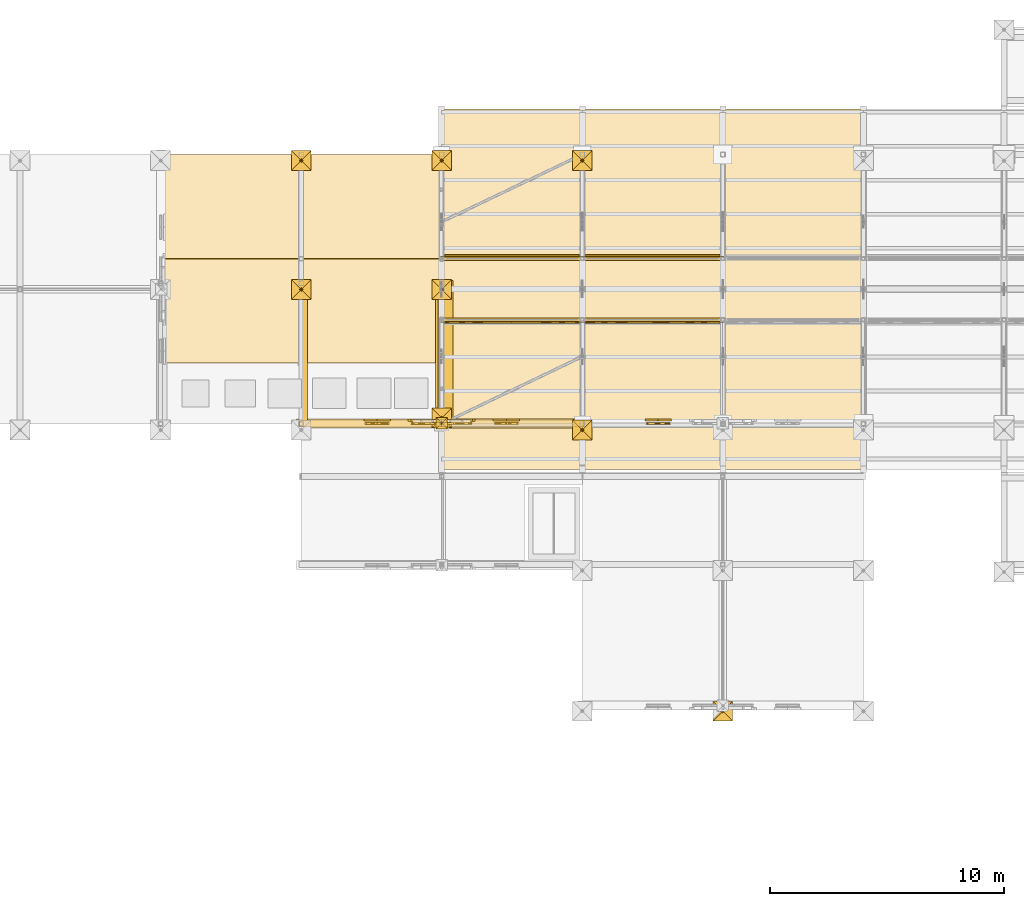
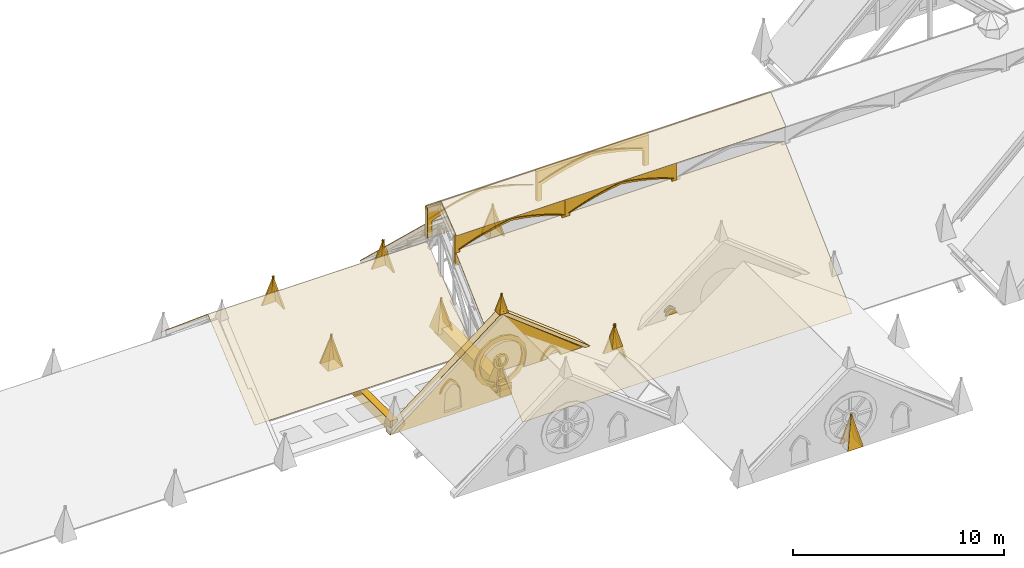
# One storey, part 27 of 33: 63 coverings.
"""IFC4 building model written with IfcOpenShell, lengths in metres."""

from ifc_helpers import new_model, si_unit, direction, frame, origin, origin_2d, place, context, subcontext, project, spatial, polyline, rectangle, outline, extrude, material, type_object, element, save


model = new_model("IFC4")

# Units and contexts
model_context = context("Model", 3, precision=1e-05, world=origin(), true_north=direction((0.0, 1.0)))
body_context = subcontext(model_context, "Body", "Model", "MODEL_VIEW")
ifc_project = project(units=[si_unit("LENGTHUNIT", "METRE"), si_unit("AREAUNIT", "SQUARE_METRE"), si_unit("VOLUMEUNIT", "CUBIC_METRE"), si_unit("PLANEANGLEUNIT", "RADIAN"), si_unit("MASSUNIT", "GRAM", prefix="KILO")], contexts=[model_context])

# Site, building, storey
site_placement = place(None, origin())
site = spatial("IfcSite", under=ifc_project, at=site_placement, CompositionType="ELEMENT")
building_placement = place(site_placement, origin())
building = spatial("IfcBuilding", under=site, at=building_placement, Name="Cumevento Cable Car Station", CompositionType="ELEMENT")
storey_placement = place(building_placement, frame((0.0, 0.0, 22.5)))
storey = spatial("IfcBuildingStorey", under=building, at=storey_placement, Name="RF", CompositionType="ELEMENT", Elevation=22.5)

# Coverings
ifc_material_1 = material(Name="Standing-Seam Zinc-Titanium Roof Sheet", Category="steel")
covering_type_1 = type_object("IfcCoveringType", Name="Standing-Seam Zinc Roofing CV-RF01", PredefinedType="ROOFING", material=ifc_material_1)
for number, where, z_axis, x_axis, name in (
    (1, (64.0, 43.050048828125, -0.391845703125), (0.0, -0.688352287595, 0.72537654233), (1.0, 0.0, 0.0), "Standing-Seam Zinc Roof Covering #1"),
    (2, (64.0, 52.050048828125, 5.681396484375), (0.0, 0.688352287595, 0.72537654233), (1.0, 0.0, 0.0), "Standing-Seam Zinc Roof Covering #2"),
):
    element("IfcCovering", number, at=place(storey_placement, frame(where, z_axis=z_axis, x_axis=x_axis)), inside=storey, type_object=covering_type_1, Name=name, PredefinedType="ROOFING", context=body_context, shape_type="SweptSolid", body=[
        extrude(outline(polyline([(0.0, 0.0), (18.0, 0.0), (18.0, 8.822869186243585), (0.0, 8.822869186243585), (0.0, 0.0)])), origin(), (0.0, 0.0, -1.0), 0.02587890625),
    ])
for number, where, z_axis, x_axis, name in (
    (3, (64.0, 49.300048828125, 6.577880859375), (0.0, -0.614798151706, 0.788684495004), (1.0, 0.0, 0.0), "Standing-Seam Zinc Roof Covering #3"),
    (4, (64.0, 50.7548828125, 7.704345703125), (0.0, 0.614798151706, 0.788684495004), (1.0, 0.0, 0.0), "Standing-Seam Zinc Roof Covering #4"),
):
    element("IfcCovering", number, at=place(storey_placement, frame(where, z_axis=z_axis, x_axis=x_axis)), inside=storey, type_object=covering_type_1, Name=name, PredefinedType="ROOFING", context=body_context, shape_type="SweptSolid", body=[
        extrude(outline(polyline([(0.0, 0.0), (18.0, 0.0), (18.0, 1.8322515131584596), (0.0, 1.8322515131584596), (0.0, 0.0)])), origin(), (0.0, 0.0, -1.0), 0.02587890625),
    ])
covering_1_placement = place(storey_placement, frame((52.0, 47.60009765625, 0.872314453125), z_axis=(0.0, -0.642806298208, 0.766028761199), x_axis=(1.0, 0.0, 0.0)))
element("IfcCovering", 5, at=covering_1_placement, inside=storey, type_object=covering_type_1, Name="Standing-Seam Zinc Roof Covering #41", PredefinedType="ROOFING", context=body_context, shape_type="SweptSolid", body=[
    extrude(outline(polyline([(0.0, 0.0), (12.0, 0.0), (12.0, 5.789357629581302), (0.0, 5.789357629581302), (0.0, 0.0)])), origin(), (0.0, 0.0, -1.0), 0.02587890625),
])
covering_2_placement = place(storey_placement, frame((52.0, 52.06494140625, 4.59375), z_axis=(0.0, 0.642785533502, 0.766046185239), x_axis=(1.0, 0.0, 0.0)))
element("IfcCovering", 6, at=covering_2_placement, inside=storey, type_object=covering_type_1, Name="Standing-Seam Zinc Roof Covering #42", PredefinedType="ROOFING", context=body_context, shape_type="SweptSolid", body=[
    extrude(outline(polyline([(0.0, 0.0), (12.0, 0.0), (12.0, 5.7895446504488195), (0.0, 5.7895446504488195), (0.0, 0.0)])), origin(), (0.0, 0.0, -1.0), 0.02587890625),
])
ifc_material_2 = material(Name="Gnaisse Facoidal Stone Ashlar 85 MPa", Category="masonry")
covering_type_2 = type_object("IfcCoveringType", Name="Gnaisse Ashlar Cladding CV-CL01", PredefinedType="CLADDING", material=ifc_material_2)
for number, where, z_axis, x_axis, name in (
    (7, (57.580078125, 51.159912109375, 0.3701171875), (0.0, 0.973845107191, 0.227212911607), (1.0, 0.0, 0.0), "Gothic Buttress Pinnacle Spire Facet 1 bt:58.0:51.0"),
    (8, (58.419921875, 51.159912109375, 0.3701171875), (0.973845107191, 0.0, 0.227212911607), (0.0, -1.0, 0.0), "Gothic Buttress Pinnacle Spire Facet 2 bt:58.0:51.0"),
    (9, (58.419921875, 50.320068359375, 0.3701171875), (0.0, -0.973845107191, 0.227212911607), (-1.0, 0.0, 0.0), "Gothic Buttress Pinnacle Spire Facet 3 bt:58.0:51.0"),
    (10, (57.580078125, 50.320068359375, 0.3701171875), (-0.973845107191, 0.0, 0.227212911607), (0.0, 1.0, 0.0), "Gothic Buttress Pinnacle Spire Facet 4 bt:58.0:51.0"),
    (11, (57.580078125, 56.659912109375, 0.3701171875), (0.0, 0.973845107191, 0.227212911607), (1.0, 0.0, 0.0), "Gothic Buttress Pinnacle Spire Facet 1 bt:58.0:56.5"),
    (12, (58.419921875, 56.659912109375, 0.3701171875), (0.973845107191, 0.0, 0.227212911607), (0.0, -1.0, 0.0), "Gothic Buttress Pinnacle Spire Facet 2 bt:58.0:56.5"),
    (13, (58.419921875, 55.820068359375, 0.3701171875), (0.0, -0.973845107191, 0.227212911607), (-1.0, 0.0, 0.0), "Gothic Buttress Pinnacle Spire Facet 3 bt:58.0:56.5"),
    (14, (57.580078125, 55.820068359375, 0.3701171875), (-0.973845107191, 0.0, 0.227212911607), (0.0, 1.0, 0.0), "Gothic Buttress Pinnacle Spire Facet 4 bt:58.0:56.5"),
    (15, (64.419921875, 44.840087890625, 0.3701171875), (0.0, -0.973845107191, 0.227212911607), (-1.0, 0.0, 0.0), "Gothic Buttress Pinnacle Spire Facet 1 bt:64.0:45.0"),
    (16, (63.580078125, 44.840087890625, 0.3701171875), (-0.973845107191, 0.0, 0.227212911607), (0.0, 1.0, 0.0), "Gothic Buttress Pinnacle Spire Facet 2 bt:64.0:45.0"),
    (17, (63.580078125, 45.679931640625, 0.3701171875), (0.0, 0.973845107191, 0.227212911607), (1.0, 0.0, 0.0), "Gothic Buttress Pinnacle Spire Facet 3 bt:64.0:45.0"),
    (18, (64.419921875, 45.679931640625, 0.3701171875), (0.973845107191, 0.0, 0.227212911607), (0.0, -1.0, 0.0), "Gothic Buttress Pinnacle Spire Facet 4 bt:64.0:45.0"),
    (19, (63.580078125, 51.159912109375, 0.3701171875), (0.0, 0.973845107191, 0.227212911607), (1.0, 0.0, 0.0), "Gothic Buttress Pinnacle Spire Facet 1 bt:64.0:51.0"),
    (20, (64.419921875, 51.159912109375, 0.3701171875), (0.973845107191, 0.0, 0.227212911607), (0.0, -1.0, 0.0), "Gothic Buttress Pinnacle Spire Facet 2 bt:64.0:51.0"),
    (21, (64.419921875, 50.320068359375, 0.3701171875), (0.0, -0.973845107191, 0.227212911607), (-1.0, 0.0, 0.0), "Gothic Buttress Pinnacle Spire Facet 3 bt:64.0:51.0"),
    (22, (63.580078125, 50.320068359375, 0.3701171875), (-0.973845107191, 0.0, 0.227212911607), (0.0, 1.0, 0.0), "Gothic Buttress Pinnacle Spire Facet 4 bt:64.0:51.0"),
    (23, (63.580078125, 56.659912109375, 0.3701171875), (0.0, 0.973845107191, 0.227212911607), (1.0, 0.0, 0.0), "Gothic Buttress Pinnacle Spire Facet 1 bt:64.0:56.5"),
    (24, (64.419921875, 56.659912109375, 0.3701171875), (0.973845107191, 0.0, 0.227212911607), (0.0, -1.0, 0.0), "Gothic Buttress Pinnacle Spire Facet 2 bt:64.0:56.5"),
    (25, (64.419921875, 55.820068359375, 0.3701171875), (0.0, -0.973845107191, 0.227212911607), (-1.0, 0.0, 0.0), "Gothic Buttress Pinnacle Spire Facet 3 bt:64.0:56.5"),
    (26, (63.580078125, 55.820068359375, 0.3701171875), (-0.973845107191, 0.0, 0.227212911607), (0.0, 1.0, 0.0), "Gothic Buttress Pinnacle Spire Facet 4 bt:64.0:56.5"),
    (27, (69.580078125, 45.159912109375, 0.3701171875), (0.0, 0.973845107191, 0.227212911607), (1.0, 0.0, 0.0), "Gothic Buttress Pinnacle Spire Facet 1 bt:70.0:45.0"),
    (28, (70.419921875, 45.159912109375, 0.3701171875), (0.973845107191, 0.0, 0.227212911607), (0.0, -1.0, 0.0), "Gothic Buttress Pinnacle Spire Facet 2 bt:70.0:45.0"),
    (29, (70.419921875, 44.320068359375, 0.3701171875), (0.0, -0.973845107191, 0.227212911607), (-1.0, 0.0, 0.0), "Gothic Buttress Pinnacle Spire Facet 3 bt:70.0:45.0"),
    (30, (69.580078125, 44.320068359375, 0.3701171875), (-0.973845107191, 0.0, 0.227212911607), (0.0, 1.0, 0.0), "Gothic Buttress Pinnacle Spire Facet 4 bt:70.0:45.0"),
    (31, (69.580078125, 56.659912109375, 0.3701171875), (0.0, 0.973845107191, 0.227212911607), (1.0, 0.0, 0.0), "Gothic Buttress Pinnacle Spire Facet 1 bt:70.0:56.5"),
    (32, (70.419921875, 56.659912109375, 0.3701171875), (0.973845107191, 0.0, 0.227212911607), (0.0, -1.0, 0.0), "Gothic Buttress Pinnacle Spire Facet 2 bt:70.0:56.5"),
    (33, (70.419921875, 55.820068359375, 0.3701171875), (0.0, -0.973845107191, 0.227212911607), (-1.0, 0.0, 0.0), "Gothic Buttress Pinnacle Spire Facet 3 bt:70.0:56.5"),
    (34, (69.580078125, 55.820068359375, 0.3701171875), (-0.973845107191, 0.0, 0.227212911607), (0.0, 1.0, 0.0), "Gothic Buttress Pinnacle Spire Facet 4 bt:70.0:56.5"),
    (35, (75.580078125, 33.159912109375, 0.3701171875), (0.0, 0.973845107191, 0.227212911607), (1.0, 0.0, 0.0), "Gothic Buttress Pinnacle Spire Facet 1 bt:76.0:33.0"),
    (36, (76.419921875, 33.159912109375, 0.3701171875), (0.973845107191, 0.0, 0.227212911607), (0.0, -1.0, 0.0), "Gothic Buttress Pinnacle Spire Facet 2 bt:76.0:33.0"),
    (37, (76.419921875, 32.320068359375, 0.3701171875), (0.0, -0.973845107191, 0.227212911607), (-1.0, 0.0, 0.0), "Gothic Buttress Pinnacle Spire Facet 3 bt:76.0:33.0"),
):
    element("IfcCovering", number, at=place(storey_placement, frame(where, z_axis=z_axis, x_axis=x_axis)), inside=storey, type_object=covering_type_2, Name=name, PredefinedType="CLADDING", context=body_context, shape_type="SweptSolid", body=[
        extrude(outline(polyline([(0.0, 0.0), (0.83984375, 0.0), (0.419921875, -1.848142660686801), (0.0, 0.0)])), origin(), (0.0, 0.0, -1.0), 0.0849609375),
    ])
covering_3_placement = place(storey_placement, frame((58.090087890625, 48.0, -0.01708984375), z_axis=(0.0, 0.0, 1.0), x_axis=(0.0, 1.0, 0.0)))
element("IfcCovering", 38, at=covering_3_placement, inside=storey, type_object=covering_type_2, Name="Gothic Stone Spandrel Stringcourse sc:0877", PredefinedType="CLADDING", context=body_context, shape_type="SweptSolid", body=[
    extrude(rectangle(XDim=6.06005859375, YDim=0.3798828125, at=origin_2d()), origin(), (0.0, 0.0, 1.0), 0.656982421875),
])
covering_4_placement = place(storey_placement, frame((64.14990234375, 48.0, -0.01708984375), z_axis=(0.0, 0.0, 1.0), x_axis=(0.0, 1.0, 0.0)))
element("IfcCovering", 39, at=covering_4_placement, inside=storey, type_object=covering_type_2, Name="Gothic Stone Spandrel Stringcourse sc:0878", PredefinedType="CLADDING", context=body_context, shape_type="SweptSolid", body=[
    extrude(rectangle(XDim=6.239990234375, YDim=0.659912109375, at=origin_2d()), origin(), (0.0, 0.0, 1.0), 0.656982421875),
])
covering_5_placement = place(storey_placement, frame((63.79248046875, 48.0, 0.510009765625), z_axis=(0.0, 0.0, 1.0), x_axis=(0.0, 1.0, 0.0)))
element("IfcCovering", 40, at=covering_5_placement, inside=storey, type_object=covering_type_2, Name="Gothic Cornice Dripstone Lip sc:0878", PredefinedType="CLADDING", context=body_context, shape_type="SweptSolid", body=[
    extrude(rectangle(XDim=6.280029296875, YDim=0.114990234375, at=origin_2d()), origin(), (0.0, 0.0, 1.0), 0.1298828125),
])
placement_1 = place(storey_placement, frame((58.0, 45.0, 0.0), z_axis=(0.0, 0.0, 1.0), x_axis=(1.0, 0.0, 0.0)))
element("IfcCovering", 41, at=placement_1, inside=storey, type_object=covering_type_2, Name="Gothic Stone Gable Tympanum wing_B_V2c_N", PredefinedType="CLADDING", context=body_context, shape_type="SweptSolid", body=[
    extrude(outline(polyline([(-0.080078125, -0.06005859375), (12.080078125, -0.06005859375), (6.0, 4.7099609375), (-0.080078125, -0.06005859375)]), holes=[polyline([(7.25, 1.898193359375), (7.155029296875, 2.376708984375), (6.884033203125, 2.7822265625), (6.478271484375, 3.05322265625), (6.0, 3.1484375), (5.521728515625, 3.05322265625), (5.115966796875, 2.7822265625), (4.844970703125, 2.376708984375), (4.75, 1.898193359375), (4.844970703125, 1.419921875), (5.115966796875, 1.014404296875), (5.521728515625, 0.743408203125), (6.0, 0.648193359375), (6.478271484375, 0.743408203125), (6.884033203125, 1.014404296875), (7.155029296875, 1.419921875), (7.25, 1.898193359375)]), polyline([(2.764892578125, 0.179931640625), (3.715087890625, 0.179931640625), (3.660400390625, 1.26611328125), (3.583251953125, 1.399169921875), (3.48583984375, 1.517822265625), (3.370361328125, 1.619140625), (3.239990234375, 1.700439453125), (3.109619140625, 1.619140625), (2.994140625, 1.517822265625), (2.896728515625, 1.399169921875), (2.819580078125, 1.26611328125), (2.764892578125, 0.179931640625)]), polyline([(8.284912109375, 0.179931640625), (9.235107421875, 0.179931640625), (9.180419921875, 1.26611328125), (9.103271484375, 1.399169921875), (9.005859375, 1.517822265625), (8.890380859375, 1.619140625), (8.760009765625, 1.700439453125), (8.629638671875, 1.619140625), (8.51416015625, 1.517822265625), (8.416748046875, 1.399169921875), (8.339599609375, 1.26611328125), (8.284912109375, 0.179931640625)])]), frame((0.0, 0.159912109375, 0.0), z_axis=(0.0, -1.0, 0.0), x_axis=(1.0, 0.0, 0.0)), (0.0, 0.0, 1.0), 0.300048828125),
])
element("IfcCovering", 42, at=placement_1, inside=storey, type_object=covering_type_2, Name="Gothic Gable Recessed Tracery Backing wing_B_V2c_N rose", PredefinedType="CLADDING", context=body_context, shape_type="SweptSolid", body=[
    extrude(outline(polyline([(7.2900390625, 1.898193359375), (7.19189453125, 2.39208984375), (6.912353515625, 2.810546875), (6.49365234375, 3.090087890625), (6.0, 3.1884765625), (5.50634765625, 3.090087890625), (5.087646484375, 2.810546875), (4.80810546875, 2.39208984375), (4.7099609375, 1.898193359375), (4.80810546875, 1.404541015625), (5.087646484375, 0.986083984375), (5.50634765625, 0.706298828125), (6.0, 0.608154296875), (6.49365234375, 0.706298828125), (6.912353515625, 0.986083984375), (7.19189453125, 1.404541015625), (7.2900390625, 1.898193359375)])), frame((0.0, 0.050048828125, 0.0), z_axis=(0.0, -1.0, 0.0), x_axis=(1.0, 0.0, 0.0)), (0.0, 0.0, 1.0), 0.074951171875),
])
element("IfcCovering", 43, at=placement_1, inside=storey, type_object=covering_type_2, Name="Gothic Gable Recessed Tracery Backing wing_B_V2c_N lancet_0", PredefinedType="CLADDING", context=body_context, shape_type="SweptSolid", body=[
    extrude(outline(polyline([(2.735107421875, 0.14990234375), (3.7451171875, 0.14990234375), (3.68505859375, 1.2724609375), (3.602294921875, 1.409912109375), (3.49853515625, 1.5322265625), (3.376953125, 1.63671875), (3.239990234375, 1.720458984375), (3.10302734375, 1.63671875), (2.9814453125, 1.5322265625), (2.877685546875, 1.409912109375), (2.794921875, 1.2724609375), (2.735107421875, 0.14990234375)])), frame((0.0, 0.050048828125, 0.0), z_axis=(0.0, -1.0, 0.0), x_axis=(1.0, 0.0, 0.0)), (0.0, 0.0, 1.0), 0.074951171875),
])
element("IfcCovering", 44, at=placement_1, inside=storey, type_object=covering_type_2, Name="Gothic Gable Recessed Tracery Backing wing_B_V2c_N lancet_1", PredefinedType="CLADDING", context=body_context, shape_type="SweptSolid", body=[
    extrude(outline(polyline([(8.2548828125, 0.14990234375), (9.264892578125, 0.14990234375), (9.205078125, 1.2724609375), (9.122314453125, 1.409912109375), (9.0185546875, 1.5322265625), (8.89697265625, 1.63671875), (8.760009765625, 1.720458984375), (8.623046875, 1.63671875), (8.50146484375, 1.5322265625), (8.397705078125, 1.409912109375), (8.31494140625, 1.2724609375), (8.2548828125, 0.14990234375)])), frame((0.0, 0.050048828125, 0.0), z_axis=(0.0, -1.0, 0.0), x_axis=(1.0, 0.0, 0.0)), (0.0, 0.0, 1.0), 0.074951171875),
])
element("IfcCovering", 45, at=placement_1, inside=storey, type_object=covering_type_2, Name="Gothic 16-Sided Stone Rose Window Ring wing_B_V2c_N", PredefinedType="CLADDING", context=body_context, shape_type="SweptSolid", body=[
    extrude(outline(polyline([(7.43017578125, 1.898193359375), (7.3212890625, 2.445556640625), (7.01123046875, 2.909423828125), (6.54736328125, 3.219482421875), (6.0, 3.328369140625), (5.45263671875, 3.219482421875), (4.98876953125, 2.909423828125), (4.6787109375, 2.445556640625), (4.56982421875, 1.898193359375), (4.6787109375, 1.35107421875), (4.98876953125, 0.886962890625), (5.45263671875, 0.5771484375), (6.0, 0.46826171875), (6.54736328125, 0.5771484375), (7.01123046875, 0.886962890625), (7.3212890625, 1.35107421875), (7.43017578125, 1.898193359375)]), holes=[polyline([(7.18017578125, 1.898193359375), (7.09033203125, 2.349853515625), (6.83447265625, 2.732666015625), (6.45166015625, 2.988525390625), (6.0, 3.078369140625), (5.54833984375, 2.988525390625), (5.16552734375, 2.732666015625), (4.90966796875, 2.349853515625), (4.81982421875, 1.898193359375), (4.90966796875, 1.44677734375), (5.16552734375, 1.06396484375), (5.54833984375, 0.80810546875), (6.0, 0.71826171875), (6.45166015625, 0.80810546875), (6.83447265625, 1.06396484375), (7.09033203125, 1.44677734375), (7.18017578125, 1.898193359375)])]), frame((0.0, 0.215087890625, 0.0), z_axis=(0.0, -1.0, 0.0), x_axis=(1.0, 0.0, 0.0)), (0.0, 0.0, 1.0), 0.110107421875),
])
element("IfcCovering", 46, at=placement_1, inside=storey, type_object=covering_type_2, Name="Gothic Rose Central Stone Oculus Hub wing_B_V2c_N", PredefinedType="CLADDING", context=body_context, shape_type="SweptSolid", body=[
    extrude(outline(polyline([(6.405029296875, 1.898193359375), (6.350830078125, 2.100830078125), (6.202392578125, 2.2490234375), (6.0, 2.30322265625), (5.797607421875, 2.2490234375), (5.649169921875, 2.100830078125), (5.594970703125, 1.898193359375), (5.649169921875, 1.69580078125), (5.797607421875, 1.547607421875), (6.0, 1.493408203125), (6.202392578125, 1.547607421875), (6.350830078125, 1.69580078125), (6.405029296875, 1.898193359375)]), holes=[polyline([(6.284912109375, 1.898193359375), (6.246826171875, 2.040771484375), (6.142578125, 2.14501953125), (6.0, 2.183349609375), (5.857421875, 2.14501953125), (5.753173828125, 2.040771484375), (5.715087890625, 1.898193359375), (5.753173828125, 1.755859375), (5.857421875, 1.6513671875), (6.0, 1.61328125), (6.142578125, 1.6513671875), (6.246826171875, 1.755859375), (6.284912109375, 1.898193359375)])]), frame((0.0, 0.18994140625, 0.0), z_axis=(0.0, -1.0, 0.0), x_axis=(1.0, 0.0, 0.0)), (0.0, 0.0, 1.0), 0.139892578125),
])
element("IfcCovering", 47, at=placement_1, inside=storey, type_object=covering_type_2, Name="Gable Lancet Stone Hood Moulding wing_B_V2c_N #1", PredefinedType="CLADDING", context=body_context, shape_type="SweptSolid", body=[
    extrude(outline(polyline([(2.764892578125, 1.12255859375), (2.819580078125, 1.26611328125), (2.896728515625, 1.399169921875), (2.994140625, 1.517822265625), (3.109619140625, 1.619140625), (3.239990234375, 1.700439453125), (3.370361328125, 1.619140625), (3.48583984375, 1.517822265625), (3.583251953125, 1.399169921875), (3.660400390625, 1.26611328125), (3.715087890625, 1.12255859375), (3.804931640625, 1.12255859375), (3.7412109375, 1.295654296875), (3.650146484375, 1.4560546875), (3.533935546875, 1.599365234375), (3.39599609375, 1.721923828125), (3.239990234375, 1.8203125), (3.083984375, 1.721923828125), (2.946044921875, 1.599365234375), (2.829833984375, 1.4560546875), (2.73876953125, 1.295654296875), (2.675048828125, 1.12255859375), (2.764892578125, 1.12255859375)])), frame((0.0, 0.205078125, 0.0), z_axis=(0.0, -1.0, 0.0), x_axis=(1.0, 0.0, 0.0)), (0.0, 0.0, 1.0), 0.090087890625),
])
element("IfcCovering", 48, at=placement_1, inside=storey, type_object=covering_type_2, Name="Gable Lancet Stone Hood Moulding wing_B_V2c_N #2", PredefinedType="CLADDING", context=body_context, shape_type="SweptSolid", body=[
    extrude(outline(polyline([(8.284912109375, 1.12255859375), (8.339599609375, 1.26611328125), (8.416748046875, 1.399169921875), (8.51416015625, 1.517822265625), (8.629638671875, 1.619140625), (8.760009765625, 1.700439453125), (8.890380859375, 1.619140625), (9.005859375, 1.517822265625), (9.103271484375, 1.399169921875), (9.180419921875, 1.26611328125), (9.235107421875, 1.12255859375), (9.324951171875, 1.12255859375), (9.26123046875, 1.295654296875), (9.170166015625, 1.4560546875), (9.053955078125, 1.599365234375), (8.916015625, 1.721923828125), (8.760009765625, 1.8203125), (8.60400390625, 1.721923828125), (8.466064453125, 1.599365234375), (8.349853515625, 1.4560546875), (8.2587890625, 1.295654296875), (8.195068359375, 1.12255859375), (8.284912109375, 1.12255859375)])), frame((0.0, 0.205078125, 0.0), z_axis=(0.0, -1.0, 0.0), x_axis=(1.0, 0.0, 0.0)), (0.0, 0.0, 1.0), 0.090087890625),
])
element("IfcCovering", 49, at=placement_1, inside=storey, type_object=covering_type_2, Name="Raking Gothic Stone Gable Coping wing_B_V2c_N", PredefinedType="CLADDING", context=body_context, shape_type="SweptSolid", body=[
    extrude(outline(polyline([(-0.199951171875, -0.06005859375), (6.0, 4.7099609375), (12.199951171875, -0.06005859375), (12.199951171875, 0.139892578125), (6.0, 4.949951171875), (-0.199951171875, 0.139892578125), (-0.199951171875, -0.06005859375)])), frame((0.0, 0.219970703125, 0.0), z_axis=(0.0, -1.0, 0.0), x_axis=(1.0, 0.0, 0.0)), (0.0, 0.0, 1.0), 0.39990234375),
])
for number, where, z_axis, x_axis, name in (
    (50, (63.760009765625, 44.7900390625, 4.81005859375), (0.0, -0.97486272659, 0.222806338116), (1.0, 0.0, 0.0), "Gothic Gable Finial Spire Facet 1 wing_B_V2c_N"),
    (51, (64.239990234375, 44.7900390625, 4.81005859375), (0.97486272659, 0.0, 0.222806338116), (0.0, 1.0, 0.0), "Gothic Gable Finial Spire Facet 2 wing_B_V2c_N"),
    (52, (64.239990234375, 45.27001953125, 4.81005859375), (0.0, 0.97486272659, 0.222806338116), (-1.0, 0.0, 0.0), "Gothic Gable Finial Spire Facet 3 wing_B_V2c_N"),
    (53, (63.760009765625, 45.27001953125, 4.81005859375), (-0.97486272659, 0.0, 0.222806338116), (0.0, -1.0, 0.0), "Gothic Gable Finial Spire Facet 4 wing_B_V2c_N"),
):
    element("IfcCovering", number, at=place(storey_placement, frame(where, z_axis=z_axis, x_axis=x_axis)), inside=storey, type_object=covering_type_2, Name=name, PredefinedType="CLADDING", context=body_context, shape_type="SweptSolid", body=[
        extrude(outline(polyline([(0.0, 0.0), (0.47998046875, 0.0), (0.239990234375, 1.0771248089437238), (0.0, 0.0)])), origin(), (0.0, 0.0, -1.0), 0.06494140625),
    ])
placement_2 = place(storey_placement, frame((70.0, 45.0, 0.0), z_axis=(0.0, 0.0, 1.0), x_axis=(1.0, 0.0, 0.0)))
element("IfcCovering", 54, at=placement_2, inside=storey, type_object=covering_type_2, Name="Gothic Gable Recessed Tracery Backing wing_B_V2d_N lancet_0", PredefinedType="CLADDING", context=body_context, shape_type="SweptSolid", body=[
    extrude(outline(polyline([(2.735107421875, 0.14990234375), (3.7451171875, 0.14990234375), (3.68505859375, 1.2724609375), (3.602294921875, 1.409912109375), (3.49853515625, 1.5322265625), (3.376953125, 1.63671875), (3.239990234375, 1.720458984375), (3.10302734375, 1.63671875), (2.9814453125, 1.5322265625), (2.877685546875, 1.409912109375), (2.794921875, 1.2724609375), (2.735107421875, 0.14990234375)])), frame((0.0, 0.050048828125, 0.0), z_axis=(0.0, -1.0, 0.0), x_axis=(1.0, 0.0, 0.0)), (0.0, 0.0, 1.0), 0.074951171875),
])
element("IfcCovering", 55, at=placement_2, inside=storey, type_object=covering_type_2, Name="Gable Lancet Stone Hood Moulding wing_B_V2d_N #1", PredefinedType="CLADDING", context=body_context, shape_type="SweptSolid", body=[
    extrude(outline(polyline([(2.764892578125, 1.12255859375), (2.819580078125, 1.26611328125), (2.896728515625, 1.399169921875), (2.994140625, 1.517822265625), (3.109619140625, 1.619140625), (3.239990234375, 1.700439453125), (3.370361328125, 1.619140625), (3.48583984375, 1.517822265625), (3.583251953125, 1.399169921875), (3.660400390625, 1.26611328125), (3.715087890625, 1.12255859375), (3.804931640625, 1.12255859375), (3.7412109375, 1.295654296875), (3.650146484375, 1.4560546875), (3.533935546875, 1.599365234375), (3.39599609375, 1.721923828125), (3.239990234375, 1.8203125), (3.083984375, 1.721923828125), (2.946044921875, 1.599365234375), (2.829833984375, 1.4560546875), (2.73876953125, 1.295654296875), (2.675048828125, 1.12255859375), (2.764892578125, 1.12255859375)])), frame((0.0, 0.205078125, 0.0), z_axis=(0.0, -1.0, 0.0), x_axis=(1.0, 0.0, 0.0)), (0.0, 0.0, 1.0), 0.090087890625),
])
covering_17_placement = place(storey_placement, frame((70.0, 49.449951171875, 4.85009765625), z_axis=(0.0, 0.0, 1.0), x_axis=(-1.0, 0.0, 0.0)))
element("IfcCovering", 56, at=covering_17_placement, inside=storey, type_object=covering_type_2, Name="Gothic Ogival Pointed-Arch Stone Spandrel bh_lantern_arc:S:0", PredefinedType="CLADDING", context=body_context, shape_type="SweptSolid", body=[
    extrude(outline(polyline([(-0.050048828125, 0.0), (-0.050048828125, 1.72998046875), (6.050048828125, 1.72998046875), (6.050048828125, 0.0), (5.780029296875, 0.0), (5.780029296875, 0.89990234375), (5.327880859375, 1.0537109375), (4.870361328125, 1.190185546875), (4.408203125, 1.310546875), (3.942138671875, 1.414306640625), (3.472412109375, 1.50048828125), (3.0, 1.56982421875), (2.527587890625, 1.50048828125), (2.057861328125, 1.414306640625), (1.591796875, 1.310546875), (1.129638671875, 1.190185546875), (0.672119140625, 1.0537109375), (0.219970703125, 0.89990234375), (0.219970703125, 0.0), (-0.050048828125, 0.0)])), frame((0.0, 0.1201171875, 0.0), z_axis=(0.0, -1.0, 0.0), x_axis=(1.0, 0.0, 0.0)), (0.0, 0.0, 1.0), 0.199951171875),
])
covering_18_placement = place(storey_placement, frame((70.0, 49.449951171875, 5.75), z_axis=(0.0, 0.0, 1.0), x_axis=(-1.0, 0.0, 0.0)))
element("IfcCovering", 57, at=covering_18_placement, inside=storey, type_object=covering_type_2, Name="Gothic Pointed Archivolt Hood Moulding bh_lantern_arc:S:0", PredefinedType="CLADDING", context=body_context, shape_type="SweptSolid", body=[
    extrude(outline(polyline([(0.219970703125, 0.0), (0.672119140625, 0.153564453125), (1.129638671875, 0.290283203125), (1.591796875, 0.41064453125), (2.057861328125, 0.51416015625), (2.527587890625, 0.6005859375), (3.0, 0.669921875), (3.472412109375, 0.6005859375), (3.942138671875, 0.51416015625), (4.408203125, 0.41064453125), (4.870361328125, 0.290283203125), (5.327880859375, 0.153564453125), (5.780029296875, 0.0), (5.867919921875, 0.0), (5.404541015625, 0.17822265625), (4.934326171875, 0.337646484375), (4.457763671875, 0.477783203125), (3.97607421875, 0.59814453125), (3.489990234375, 0.698974609375), (3.0, 0.780029296875), (2.510009765625, 0.698974609375), (2.02392578125, 0.59814453125), (1.542236328125, 0.477783203125), (1.065673828125, 0.337646484375), (0.595458984375, 0.17822265625), (0.132080078125, 0.0), (0.219970703125, 0.0)])), frame((0.0, 0.162109375, 0.0), z_axis=(0.0, -1.0, 0.0), x_axis=(1.0, 0.0, 0.0)), (0.0, 0.0, 1.0), 0.06689453125),
])
covering_19_placement = place(storey_placement, frame((76.0, 49.449951171875, 4.85009765625), z_axis=(0.0, 0.0, 1.0), x_axis=(-1.0, 0.0, 0.0)))
element("IfcCovering", 58, at=covering_19_placement, inside=storey, type_object=covering_type_2, Name="Gothic Ogival Pointed-Arch Stone Spandrel bh_lantern_arc:S:1", PredefinedType="CLADDING", context=body_context, shape_type="SweptSolid", body=[
    extrude(outline(polyline([(-0.050048828125, 0.0), (-0.050048828125, 1.72998046875), (6.050048828125, 1.72998046875), (6.050048828125, 0.0), (5.780029296875, 0.0), (5.780029296875, 0.89990234375), (5.327880859375, 1.0537109375), (4.870361328125, 1.190185546875), (4.408203125, 1.310546875), (3.942138671875, 1.414306640625), (3.472412109375, 1.50048828125), (3.0, 1.56982421875), (2.527587890625, 1.50048828125), (2.057861328125, 1.414306640625), (1.591796875, 1.310546875), (1.129638671875, 1.190185546875), (0.672119140625, 1.0537109375), (0.219970703125, 0.89990234375), (0.219970703125, 0.0), (-0.050048828125, 0.0)])), frame((0.0, 0.1201171875, 0.0), z_axis=(0.0, -1.0, 0.0), x_axis=(1.0, 0.0, 0.0)), (0.0, 0.0, 1.0), 0.199951171875),
])
covering_20_placement = place(storey_placement, frame((76.0, 49.449951171875, 5.75), z_axis=(0.0, 0.0, 1.0), x_axis=(-1.0, 0.0, 0.0)))
element("IfcCovering", 59, at=covering_20_placement, inside=storey, type_object=covering_type_2, Name="Gothic Pointed Archivolt Hood Moulding bh_lantern_arc:S:1", PredefinedType="CLADDING", context=body_context, shape_type="SweptSolid", body=[
    extrude(outline(polyline([(0.219970703125, 0.0), (0.672119140625, 0.153564453125), (1.129638671875, 0.290283203125), (1.591796875, 0.41064453125), (2.057861328125, 0.51416015625), (2.527587890625, 0.6005859375), (3.0, 0.669921875), (3.472412109375, 0.6005859375), (3.942138671875, 0.51416015625), (4.408203125, 0.41064453125), (4.870361328125, 0.290283203125), (5.327880859375, 0.153564453125), (5.780029296875, 0.0), (5.867919921875, 0.0), (5.404541015625, 0.17822265625), (4.934326171875, 0.337646484375), (4.457763671875, 0.477783203125), (3.97607421875, 0.59814453125), (3.489990234375, 0.698974609375), (3.0, 0.780029296875), (2.510009765625, 0.698974609375), (2.02392578125, 0.59814453125), (1.542236328125, 0.477783203125), (1.065673828125, 0.337646484375), (0.595458984375, 0.17822265625), (0.132080078125, 0.0), (0.219970703125, 0.0)])), frame((0.0, 0.162109375, 0.0), z_axis=(0.0, -1.0, 0.0), x_axis=(1.0, 0.0, 0.0)), (0.0, 0.0, 1.0), 0.06689453125),
])
covering_21_placement = place(storey_placement, frame((64.0, 52.050048828125, 4.85009765625), z_axis=(0.0, 0.0, 1.0), x_axis=(1.0, 0.0, 0.0)))
element("IfcCovering", 60, at=covering_21_placement, inside=storey, type_object=covering_type_2, Name="Gothic Ogival Pointed-Arch Stone Spandrel bh_lantern_arc:N:0", PredefinedType="CLADDING", context=body_context, shape_type="SweptSolid", body=[
    extrude(outline(polyline([(-0.050048828125, 0.0), (-0.050048828125, 1.72998046875), (6.050048828125, 1.72998046875), (6.050048828125, 0.0), (5.780029296875, 0.0), (5.780029296875, 0.89990234375), (5.327880859375, 1.0537109375), (4.870361328125, 1.190185546875), (4.408203125, 1.310546875), (3.942138671875, 1.414306640625), (3.472412109375, 1.50048828125), (3.0, 1.56982421875), (2.527587890625, 1.50048828125), (2.057861328125, 1.414306640625), (1.591796875, 1.310546875), (1.129638671875, 1.190185546875), (0.672119140625, 1.0537109375), (0.219970703125, 0.89990234375), (0.219970703125, 0.0), (-0.050048828125, 0.0)])), frame((0.0, 0.1201171875, 0.0), z_axis=(0.0, -1.0, 0.0), x_axis=(1.0, 0.0, 0.0)), (0.0, 0.0, 1.0), 0.199951171875),
])
covering_22_placement = place(storey_placement, frame((64.0, 52.050048828125, 5.75), z_axis=(0.0, 0.0, 1.0), x_axis=(1.0, 0.0, 0.0)))
element("IfcCovering", 61, at=covering_22_placement, inside=storey, type_object=covering_type_2, Name="Gothic Pointed Archivolt Hood Moulding bh_lantern_arc:N:0", PredefinedType="CLADDING", context=body_context, shape_type="SweptSolid", body=[
    extrude(outline(polyline([(0.219970703125, 0.0), (0.672119140625, 0.153564453125), (1.129638671875, 0.290283203125), (1.591796875, 0.41064453125), (2.057861328125, 0.51416015625), (2.527587890625, 0.6005859375), (3.0, 0.669921875), (3.472412109375, 0.6005859375), (3.942138671875, 0.51416015625), (4.408203125, 0.41064453125), (4.870361328125, 0.290283203125), (5.327880859375, 0.153564453125), (5.780029296875, 0.0), (5.867919921875, 0.0), (5.404541015625, 0.17822265625), (4.934326171875, 0.337646484375), (4.457763671875, 0.477783203125), (3.97607421875, 0.59814453125), (3.489990234375, 0.698974609375), (3.0, 0.780029296875), (2.510009765625, 0.698974609375), (2.02392578125, 0.59814453125), (1.542236328125, 0.477783203125), (1.065673828125, 0.337646484375), (0.595458984375, 0.17822265625), (0.132080078125, 0.0), (0.219970703125, 0.0)])), frame((0.0, 0.162109375, 0.0), z_axis=(0.0, -1.0, 0.0), x_axis=(1.0, 0.0, 0.0)), (0.0, 0.0, 1.0), 0.06689453125),
])
covering_23_placement = place(storey_placement, frame((70.0, 52.050048828125, 4.85009765625), z_axis=(0.0, 0.0, 1.0), x_axis=(1.0, 0.0, 0.0)))
element("IfcCovering", 62, at=covering_23_placement, inside=storey, type_object=covering_type_2, Name="Gothic Ogival Pointed-Arch Stone Spandrel bh_lantern_arc:N:1", PredefinedType="CLADDING", context=body_context, shape_type="SweptSolid", body=[
    extrude(outline(polyline([(-0.050048828125, 0.0), (-0.050048828125, 1.72998046875), (6.050048828125, 1.72998046875), (6.050048828125, 0.0), (5.780029296875, 0.0), (5.780029296875, 0.89990234375), (5.327880859375, 1.0537109375), (4.870361328125, 1.190185546875), (4.408203125, 1.310546875), (3.942138671875, 1.414306640625), (3.472412109375, 1.50048828125), (3.0, 1.56982421875), (2.527587890625, 1.50048828125), (2.057861328125, 1.414306640625), (1.591796875, 1.310546875), (1.129638671875, 1.190185546875), (0.672119140625, 1.0537109375), (0.219970703125, 0.89990234375), (0.219970703125, 0.0), (-0.050048828125, 0.0)])), frame((0.0, 0.1201171875, 0.0), z_axis=(0.0, -1.0, 0.0), x_axis=(1.0, 0.0, 0.0)), (0.0, 0.0, 1.0), 0.199951171875),
])
covering_24_placement = place(storey_placement, frame((70.0, 52.050048828125, 5.75), z_axis=(0.0, 0.0, 1.0), x_axis=(1.0, 0.0, 0.0)))
element("IfcCovering", 63, at=covering_24_placement, inside=storey, type_object=covering_type_2, Name="Gothic Pointed Archivolt Hood Moulding bh_lantern_arc:N:1", PredefinedType="CLADDING", context=body_context, shape_type="SweptSolid", body=[
    extrude(outline(polyline([(0.219970703125, 0.0), (0.672119140625, 0.153564453125), (1.129638671875, 0.290283203125), (1.591796875, 0.41064453125), (2.057861328125, 0.51416015625), (2.527587890625, 0.6005859375), (3.0, 0.669921875), (3.472412109375, 0.6005859375), (3.942138671875, 0.51416015625), (4.408203125, 0.41064453125), (4.870361328125, 0.290283203125), (5.327880859375, 0.153564453125), (5.780029296875, 0.0), (5.867919921875, 0.0), (5.404541015625, 0.17822265625), (4.934326171875, 0.337646484375), (4.457763671875, 0.477783203125), (3.97607421875, 0.59814453125), (3.489990234375, 0.698974609375), (3.0, 0.780029296875), (2.510009765625, 0.698974609375), (2.02392578125, 0.59814453125), (1.542236328125, 0.477783203125), (1.065673828125, 0.337646484375), (0.595458984375, 0.17822265625), (0.132080078125, 0.0), (0.219970703125, 0.0)])), frame((0.0, 0.162109375, 0.0), z_axis=(0.0, -1.0, 0.0), x_axis=(1.0, 0.0, 0.0)), (0.0, 0.0, 1.0), 0.06689453125),
])

save(model, "model.ifc")
